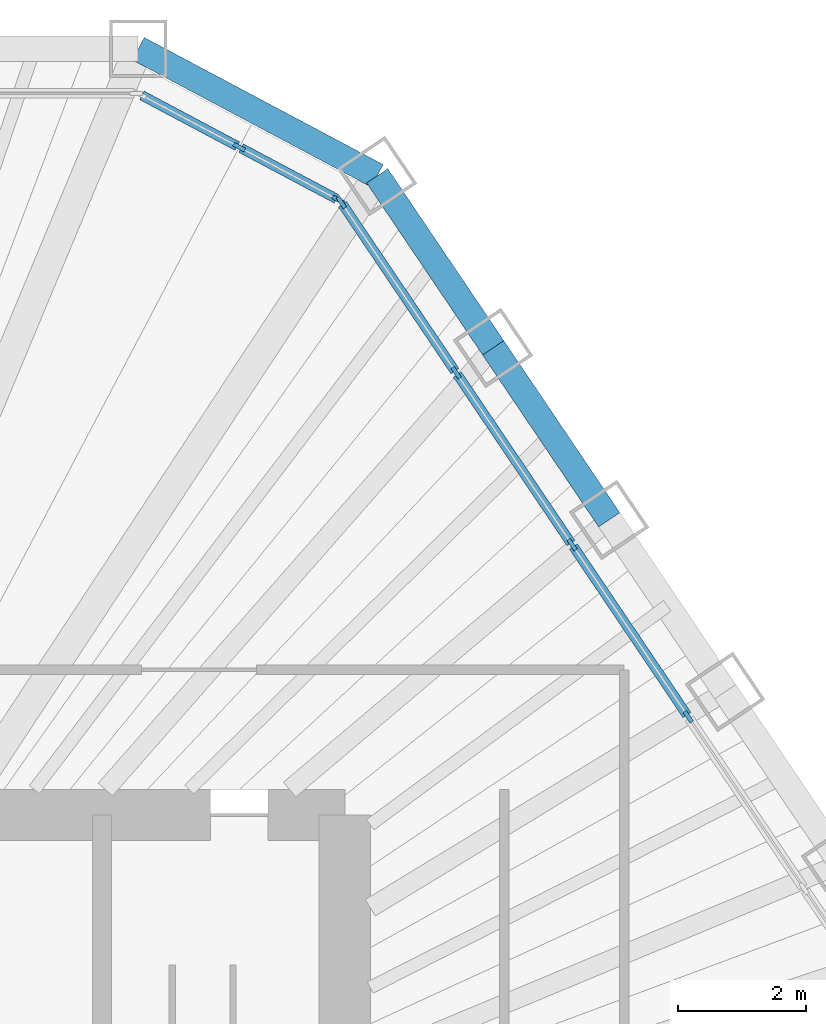
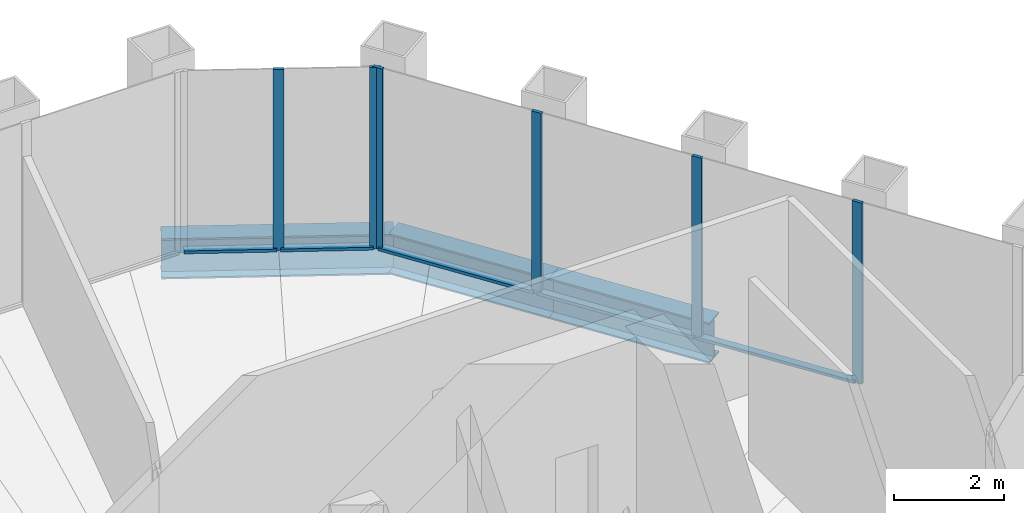
# One storey, part 8 of 14: 11 members, 3 beams, 2 elements without a shape of their own.
"""IFC4 building model written with IfcOpenShell, lengths in metres."""

from ifc_helpers import new_model, si_unit, direction, frame, origin, origin_2d, place, context, subcontext, project, spatial, rectangle, i_section, extrude, material, material_profile, profile_set, type_object, element, aggregate, save


model = new_model("IFC4")

# Units and contexts
model_context = context("Model", 3, precision=1e-05, world=origin(), true_north=direction((0.0, 1.0)))
body_context = subcontext(model_context, "Body", "Model", "MODEL_VIEW")
ifc_project = project(units=[si_unit("LENGTHUNIT", "METRE"), si_unit("AREAUNIT", "SQUARE_METRE"), si_unit("VOLUMEUNIT", "CUBIC_METRE"), si_unit("PLANEANGLEUNIT", "RADIAN"), si_unit("MASSUNIT", "GRAM", prefix="KILO")], contexts=[model_context])

# Site, building, storey
site_placement = place(None, origin())
site = spatial("IfcSite", under=ifc_project, at=site_placement, CompositionType="ELEMENT")
building_placement = place(site_placement, origin())
building = spatial("IfcBuilding", under=site, at=building_placement, Name="Qingtian Harvest Tower", CompositionType="ELEMENT")
storey_placement = place(building_placement, frame((0.0, 0.0, 320.800048828125)))
storey = spatial("IfcBuildingStorey", under=building, at=storey_placement, Name="L71", CompositionType="ELEMENT", Elevation=320.800048828125)

# Curtain wall, members
ifc_material_1 = material(Name="Bronze-anodised aluminium curtain wall", Category="aluminium")
curtain_wall_type = type_object("IfcCurtainWallType", Name="Curtain wall CW5 upper office", PredefinedType="USERDEFINED", material=ifc_material_1)
curtain_wall_1_placement = place(storey_placement, origin())
curtain_wall_1 = element("IfcCurtainWall", 1, at=curtain_wall_1_placement, inside=storey, type_object=curtain_wall_type, Name="Curtain wall CW5 L71 NC", ObjectType="RECESSED CURTAIN WALL", PredefinedType="USERDEFINED")
ifc_material_2 = material(Name="Bronze-anodised aluminium mullion", Category="aluminium")
ifc_material_profile_1 = material_profile(ifc_material_2, rectangle(XDim=0.06494140625, YDim=0.199951171875, at=origin_2d()), Name="AL 65x200")
ifc_profile_set_1 = profile_set([ifc_material_profile_1], Name="Bronze-anodised aluminium mullion")
member_type_1 = type_object("IfcMemberType", Name="Mullion CWM 65x200", PredefinedType="MULLION", material=ifc_profile_set_1)
member_1_placement = place(storey_placement, frame((10.3466796875, 19.45947265625, 0.0), z_axis=(0.0, 0.0, 1.0), x_axis=(0.469471562786, 0.882947592859, 0.0)))
member_1 = element("IfcMember", 2, at=member_1_placement, type_object=member_type_1, Name="CW5 mullion 2", PredefinedType="MULLION", context=body_context, shape_type="SweptSolid", body=[
    extrude(rectangle(XDim=0.06494140625, YDim=0.199951171875, at=origin_2d()), origin(), (0.0, 0.0, 1.0), 4.030029296875),
])
member_2_placement = place(storey_placement, frame((11.89892578125, 18.634033203125, 0.0), z_axis=(0.0, 0.0, 1.0), x_axis=(0.469471562786, 0.882947592859, 0.0)))
member_2 = element("IfcMember", 3, at=member_2_placement, type_object=member_type_1, Name="CW5 mullion 3", PredefinedType="MULLION", context=body_context, shape_type="SweptSolid", body=[
    extrude(rectangle(XDim=0.06494140625, YDim=0.199951171875, at=origin_2d()), origin(), (0.0, 0.0, 1.0), 4.030029296875),
])

curtain_wall_2_placement = place(storey_placement, origin())
curtain_wall_2 = element("IfcCurtainWall", 4, at=curtain_wall_2_placement, inside=storey, type_object=curtain_wall_type, Name="Curtain wall CW5 L71 NE0-5", ObjectType="RECESSED CURTAIN WALL", PredefinedType="USERDEFINED")
member_3_placement = place(storey_placement, frame((11.94580078125, 18.592041015625, 0.0), z_axis=(0.0, 0.0, 1.0), x_axis=(0.829037572555, 0.559192903471, 0.0)))
member_3 = element("IfcMember", 5, at=member_3_placement, type_object=member_type_1, Name="CW5 mullion 1", PredefinedType="MULLION", context=body_context, shape_type="SweptSolid", body=[
    extrude(rectangle(XDim=0.06494140625, YDim=0.199951171875, at=origin_2d()), origin(), (0.0, 0.0, 1.0), 4.030029296875),
])
member_4_placement = place(storey_placement, frame((13.743896484375, 15.926025390625, 0.0), z_axis=(0.0, 0.0, 1.0), x_axis=(0.829037572555, 0.559192903471, 0.0)))
member_4 = element("IfcMember", 6, at=member_4_placement, type_object=member_type_1, Name="CW5 mullion 2", PredefinedType="MULLION", context=body_context, shape_type="SweptSolid", body=[
    extrude(rectangle(XDim=0.06494140625, YDim=0.199951171875, at=origin_2d()), origin(), (0.0, 0.0, 1.0), 4.030029296875),
])
member_5_placement = place(storey_placement, frame((15.56005859375, 13.2333984375, 0.0), z_axis=(0.0, 0.0, 1.0), x_axis=(0.829037572555, 0.559192903471, 0.0)))
member_5 = element("IfcMember", 7, at=member_5_placement, type_object=member_type_1, Name="CW5 mullion 3", PredefinedType="MULLION", context=body_context, shape_type="SweptSolid", body=[
    extrude(rectangle(XDim=0.06494140625, YDim=0.199951171875, at=origin_2d()), origin(), (0.0, 0.0, 1.0), 4.030029296875),
])
member_6_placement = place(storey_placement, frame((17.37646484375, 10.540771484375, 0.0), z_axis=(0.0, 0.0, 1.0), x_axis=(0.829037572555, 0.559192903471, 0.0)))
member_6 = element("IfcMember", 8, at=member_6_placement, type_object=member_type_1, Name="CW5 mullion 4", PredefinedType="MULLION", context=body_context, shape_type="SweptSolid", body=[
    extrude(rectangle(XDim=0.06494140625, YDim=0.199951171875, at=origin_2d()), origin(), (0.0, 0.0, 1.0), 4.030029296875),
])

# Beams
ifc_material_3 = material(Name="Steel SN490B", Category="steel")
ifc_material_profile_2 = material_profile(ifc_material_3, i_section(OverallWidth=0.39990234375, OverallDepth=0.89990234375, WebThickness=0.01904296875, FlangeThickness=0.035888671875, at=origin_2d()), Name="H900x400x19x36")
ifc_profile_set_2 = profile_set([ifc_material_profile_2], Name="Steel SN490B")
beam_type = type_object("IfcBeamType", Name="Spandrel beam SB4 H900x400x19x36", PredefinedType="SPANDREL", material=ifc_profile_set_2)
beam_1_placement = place(storey_placement, frame((8.765869140625, 21.0, -0.449951171875), z_axis=(0.882948599748, -0.469469669099, 0.0), x_axis=(0.469469669099, 0.882948599748, 0.0)))
element("IfcBeam", 9, at=beam_1_placement, inside=storey, type_object=beam_type, Name="Spandrel SB4 NC", PredefinedType="SPANDREL", context=body_context, shape_type="SweptSolid", body=[
    extrude(i_section(OverallWidth=0.39990234375, OverallDepth=0.89990234375, WebThickness=0.01904296875, FlangeThickness=0.035888671875, at=origin_2d()), origin(), (0.0, 0.0, 1.0), 4.23828125),
])
beam_2_placement = place(storey_placement, frame((12.508056640625, 19.01025390625, -0.449951171875), z_axis=(0.559184924833, -0.829042954158, 0.0), x_axis=(0.829042954158, 0.559184924833, 0.0)))
element("IfcBeam", 10, at=beam_2_placement, inside=storey, type_object=beam_type, Name="Spandrel SB4 NE0", PredefinedType="SPANDREL", context=body_context, shape_type="SweptSolid", body=[
    extrude(i_section(OverallWidth=0.39990234375, OverallDepth=0.89990234375, WebThickness=0.01904296875, FlangeThickness=0.035888671875, at=origin_2d()), origin(), (0.0, 0.0, 1.0), 3.247802734375),
])
beam_3_placement = place(storey_placement, frame((14.32421875, 16.317626953125, -0.449951171875), z_axis=(0.559201740147, -0.829031612073, 0.0), x_axis=(0.829031612073, 0.559201740147, 0.0)))
element("IfcBeam", 11, at=beam_3_placement, inside=storey, type_object=beam_type, Name="Spandrel SB4 NE1", PredefinedType="SPANDREL", context=body_context, shape_type="SweptSolid", body=[
    extrude(i_section(OverallWidth=0.39990234375, OverallDepth=0.89990234375, WebThickness=0.01904296875, FlangeThickness=0.035888671875, at=origin_2d()), origin(), (0.0, 0.0, 1.0), 3.248291015625),
])

# Member
ifc_material_4 = material(Name="Bronze-anodised aluminium transom", Category="aluminium")
ifc_material_profile_3 = material_profile(ifc_material_4, rectangle(XDim=0.14990234375, YDim=0.06494140625, at=origin_2d()), Name="AL 65x150")
ifc_profile_set_3 = profile_set([ifc_material_profile_3], Name="Bronze-anodised aluminium transom")
member_type_2 = type_object("IfcMemberType", Name="Transom CWT 65x150", PredefinedType="USERDEFINED", material=ifc_profile_set_3)
member_7_placement = place(storey_placement, frame((8.8232421875, 20.26953125, 0.032470703125), z_axis=(0.882927080927, -0.469510138086, 0.0), x_axis=(0.469510138086, 0.882927080927, 0.0)))
member_7 = element("IfcMember", 12, at=member_7_placement, type_object=member_type_2, Name="CW5 transom 1.1", ObjectType="TRANSOM", PredefinedType="USERDEFINED", context=body_context, shape_type="SweptSolid", body=[
    extrude(rectangle(XDim=0.14990234375, YDim=0.06494140625, at=origin_2d()), origin(), (0.0, 0.0, 1.0), 1.693115234375),
])

member_8_placement = place(storey_placement, frame((10.37548828125, 19.444091796875, 0.032470703125), z_axis=(0.882986854304, -0.469397715297, 0.0), x_axis=(0.469397715297, 0.882986854304, 0.0)))
member_8 = element("IfcMember", 13, at=member_8_placement, type_object=member_type_2, Name="CW5 transom 2.1", ObjectType="TRANSOM", PredefinedType="USERDEFINED", context=body_context, shape_type="SweptSolid", body=[
    extrude(rectangle(XDim=0.14990234375, YDim=0.06494140625, at=origin_2d()), origin(), (0.0, 0.0, 1.0), 1.69287109375),
])

aggregate(curtain_wall_1, [member_1, member_2, member_7, member_8])

member_9_placement = place(storey_placement, frame((11.9638671875, 18.56494140625, 0.032470703125), z_axis=(0.559251907839, -0.828997770551, 0.0), x_axis=(0.828997770551, 0.559251907839, 0.0)))
member_9 = element("IfcMember", 14, at=member_9_placement, type_object=member_type_2, Name="CW5 transom 1.1", ObjectType="TRANSOM", PredefinedType="USERDEFINED", context=body_context, shape_type="SweptSolid", body=[
    extrude(rectangle(XDim=0.14990234375, YDim=0.06494140625, at=origin_2d()), origin(), (0.0, 0.0, 1.0), 3.150634765625),
])

member_10_placement = place(storey_placement, frame((13.761962890625, 15.899169921875, 0.032470703125), z_axis=(0.55920542009, -0.829029129852, 0.0), x_axis=(0.829029129852, 0.55920542009, 0.0)))
member_10 = element("IfcMember", 15, at=member_10_placement, type_object=member_type_2, Name="CW5 transom 2.1", ObjectType="TRANSOM", PredefinedType="USERDEFINED", context=body_context, shape_type="SweptSolid", body=[
    extrude(rectangle(XDim=0.14990234375, YDim=0.06494140625, at=origin_2d()), origin(), (0.0, 0.0, 1.0), 3.18310546875),
])

member_11_placement = place(storey_placement, frame((15.578369140625, 13.20654296875, 0.032470703125), z_axis=(0.55920542009, -0.829029129852, 0.0), x_axis=(0.829029129852, 0.55920542009, 0.0)))
member_11 = element("IfcMember", 16, at=member_11_placement, type_object=member_type_2, Name="CW5 transom 3.1", ObjectType="TRANSOM", PredefinedType="USERDEFINED", context=body_context, shape_type="SweptSolid", body=[
    extrude(rectangle(XDim=0.14990234375, YDim=0.06494140625, at=origin_2d()), origin(), (0.0, 0.0, 1.0), 3.18310546875),
])

aggregate(curtain_wall_2, [member_3, member_4, member_5, member_6, member_9, member_10, member_11])

save(model, "model.ifc")
